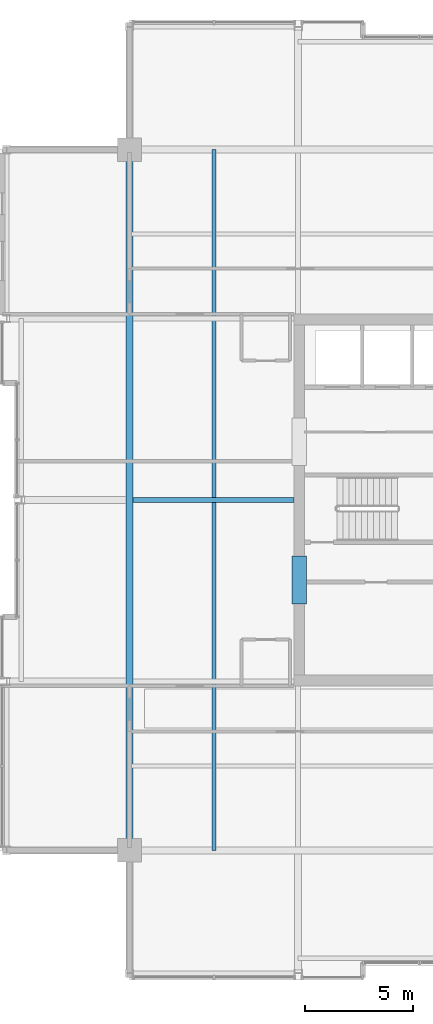
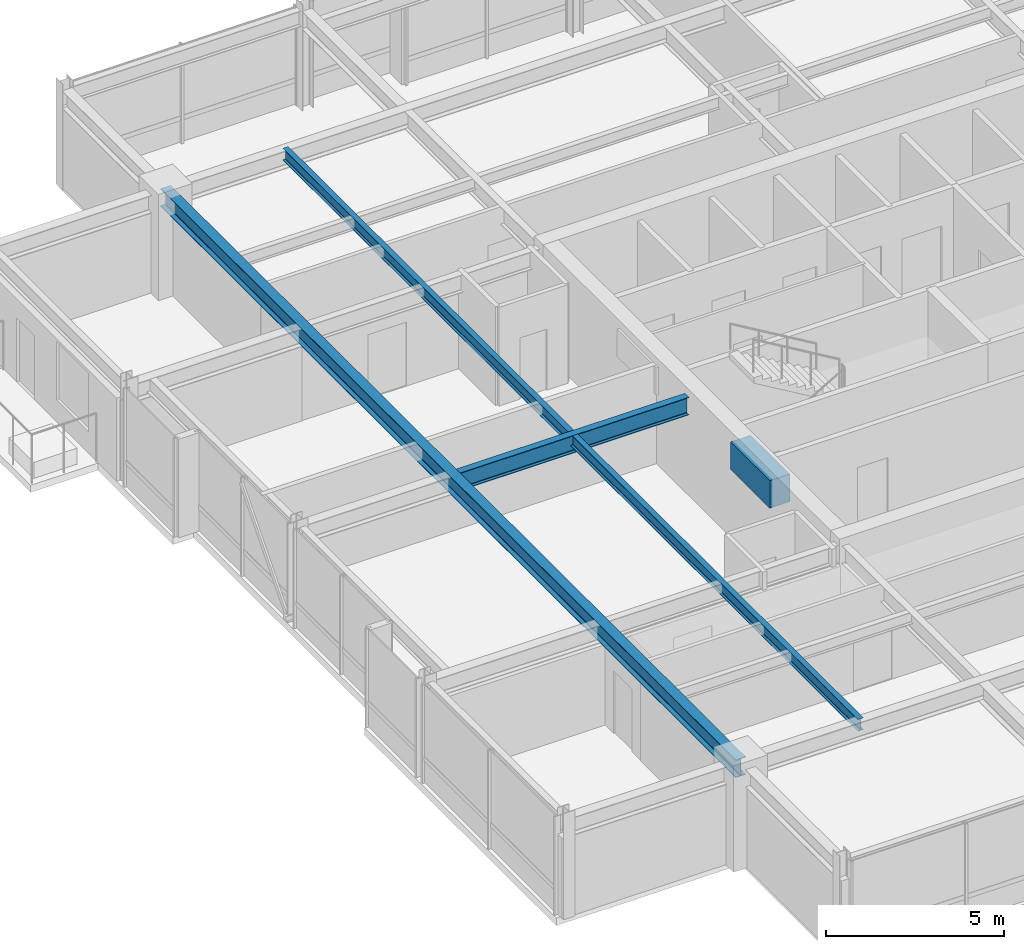
# One storey, part 12 of 33: 4 beams.
"""IFC4 building model written with IfcOpenShell, lengths in metres."""

from ifc_helpers import new_model, si_unit, direction, frame, origin, origin_2d, place, context, subcontext, project, spatial, rectangle, i_section, extrude, material, material_profile, profile_set, type_object, element, save


model = new_model("IFC4")

# Units and contexts
model_context = context("Model", 3, precision=1e-05, world=origin(), true_north=direction((0.0, 1.0)))
body_context = subcontext(model_context, "Body", "Model", "MODEL_VIEW")
ifc_project = project(units=[si_unit("LENGTHUNIT", "METRE"), si_unit("AREAUNIT", "SQUARE_METRE"), si_unit("VOLUMEUNIT", "CUBIC_METRE"), si_unit("PLANEANGLEUNIT", "RADIAN"), si_unit("MASSUNIT", "GRAM", prefix="KILO")], contexts=[model_context])

# Site, building, storey
site_placement = place(None, origin())
site = spatial("IfcSite", under=ifc_project, at=site_placement, CompositionType="ELEMENT")
building_placement = place(site_placement, origin())
building = spatial("IfcBuilding", under=site, at=building_placement, Name="Drelvath Grand Hotel", CompositionType="ELEMENT")
storey_placement = place(building_placement, frame((0.0, 0.0, 279.60009765625)))
storey = spatial("IfcBuildingStorey", under=building, at=storey_placement, Name="L73", CompositionType="ELEMENT", Elevation=279.60009765625)

# Beams
ifc_material_1 = material(Name="Steel ASTM A992 Gr 50", Category="steel")
ifc_material_profile_1 = material_profile(ifc_material_1, i_section(OverallWidth=0.177734375, OverallDepth=0.40673828125, WebThickness=0.0078125, FlangeThickness=0.0126953125, FilletRadius=0.014892578125, at=origin_2d()), Name="W16X40")
ifc_profile_set_1 = profile_set([ifc_material_profile_1], Name="Steel ASTM A992 Gr 50")
beam_type_1 = type_object("IfcBeamType", Name="Composite Floor Joist W16X40", PredefinedType="JOIST", material=ifc_profile_set_1)
beam_1_placement = place(storey_placement, frame((-12.300048828125, 10.800048828125, 3.1865234375), z_axis=(0.0, 1.0, 0.0), x_axis=(-1.0, 0.0, 0.0)))
element("IfcBeam", 1, at=beam_1_placement, inside=storey, type_object=beam_type_1, Name="L73 Wing Floor Joist J3", PredefinedType="JOIST", context=body_context, shape_type="SweptSolid", body=[
    extrude(i_section(OverallWidth=0.177734375, OverallDepth=0.40673828125, WebThickness=0.0078125, FlangeThickness=0.0126953125, FilletRadius=0.014892578125, at=origin_2d()), origin(), (0.0, 0.0, 1.0), 32.39990234375),
])
ifc_material_2 = material(Name="Concrete f'c 55 MPa", Category="concrete")
ifc_material_profile_2 = material_profile(ifc_material_2, rectangle(XDim=0.64990234375, YDim=0.949951171875, at=origin_2d()), Name="CB650X950")
ifc_profile_set_2 = profile_set([ifc_material_profile_2], Name="Concrete f'c 55 MPa")
beam_type_2 = type_object("IfcBeamType", Name="Core Coupling Lintel CB650X950", PredefinedType="LINTEL", material=ifc_profile_set_2)
beam_2_placement = place(storey_placement, frame((-8.35009765625, 22.199951171875, 2.914794921875), z_axis=(0.0, 1.0, 0.0), x_axis=(-1.0, 0.0, 0.0)))
element("IfcBeam", 2, at=beam_2_placement, inside=storey, type_object=beam_type_2, Name="L73 Core Coupling Lintel WS", PredefinedType="LINTEL", context=body_context, shape_type="SweptSolid", body=[
    extrude(rectangle(XDim=0.64990234375, YDim=0.949951171875, at=origin_2d()), origin(), (0.0, 0.0, 1.0), 2.199951171875),
])
ifc_material_profile_3 = material_profile(ifc_material_1, i_section(OverallWidth=0.323974609375, OverallDepth=0.611083984375, WebThickness=0.0126953125, FlangeThickness=0.01904296875, FilletRadius=0.02197265625, at=origin_2d()), Name="W24X104")
ifc_profile_set_3 = profile_set([ifc_material_profile_3], Name="Steel ASTM A992 Gr 50")
beam_type_3 = type_object("IfcBeamType", Name="Primary Floor Girder W24X104", PredefinedType="BEAM", material=ifc_profile_set_3)
beam_3_placement = place(storey_placement, frame((-16.199951171875, 10.800048828125, 3.08447265625), z_axis=(0.0, 1.0, 0.0), x_axis=(-1.0, 0.0, 0.0)))
element("IfcBeam", 3, at=beam_3_placement, inside=storey, type_object=beam_type_3, Name="L73 Mega Ring Girder West", PredefinedType="BEAM", context=body_context, shape_type="SweptSolid", body=[
    extrude(i_section(OverallWidth=0.323974609375, OverallDepth=0.611083984375, WebThickness=0.0126953125, FlangeThickness=0.01904296875, FilletRadius=0.02197265625, at=origin_2d()), origin(), (0.0, 0.0, 1.0), 32.39990234375),
])
ifc_material_profile_4 = material_profile(ifc_material_1, i_section(OverallWidth=0.228271484375, OverallDepth=0.607666015625, WebThickness=0.01123046875, FlangeThickness=0.017333984375, FilletRadius=0.02001953125, at=origin_2d()), Name="W24X76")
ifc_profile_set_4 = profile_set([ifc_material_profile_4], Name="Steel ASTM A992 Gr 50")
beam_type_4 = type_object("IfcBeamType", Name="Primary Floor Girder W24X76", PredefinedType="BEAM", material=ifc_profile_set_4)
beam_4_placement = place(storey_placement, frame((-16.0380859375, 27.0, 3.086181640625), z_axis=(1.0, 0.0, 0.0), x_axis=(0.0, 1.0, 0.0)))
element("IfcBeam", 4, at=beam_4_placement, inside=storey, type_object=beam_type_4, Name="L73 West Core Tie E", PredefinedType="BEAM", context=body_context, shape_type="SweptSolid", body=[
    extrude(i_section(OverallWidth=0.228271484375, OverallDepth=0.607666015625, WebThickness=0.01123046875, FlangeThickness=0.017333984375, FilletRadius=0.02001953125, at=origin_2d()), origin(), (0.0, 0.0, 1.0), 7.43798828125),
])

save(model, "model.ifc")
